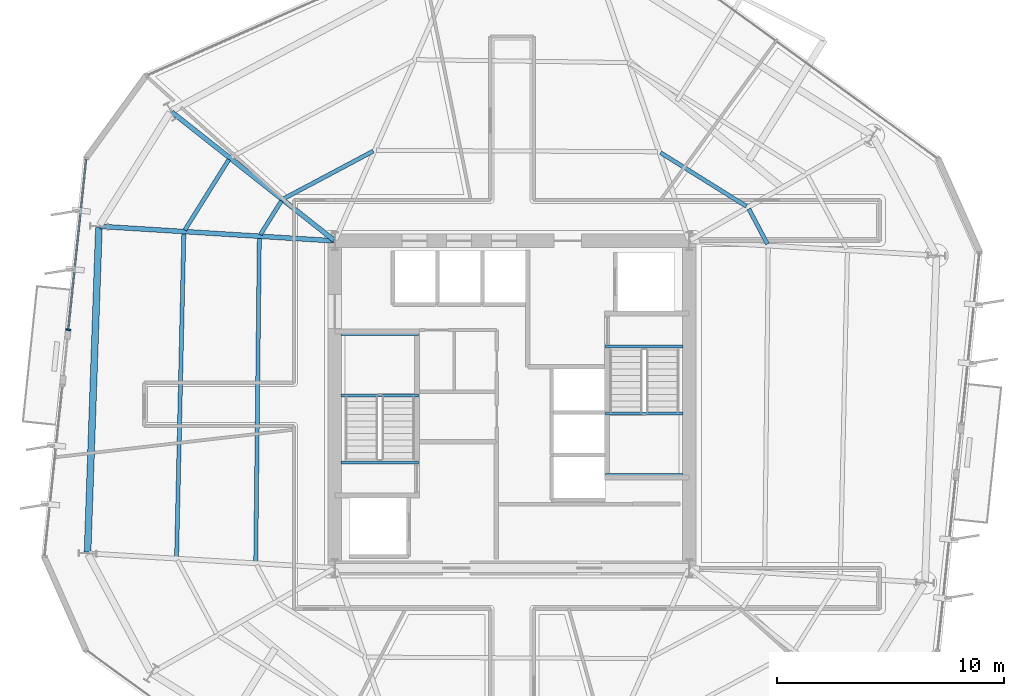
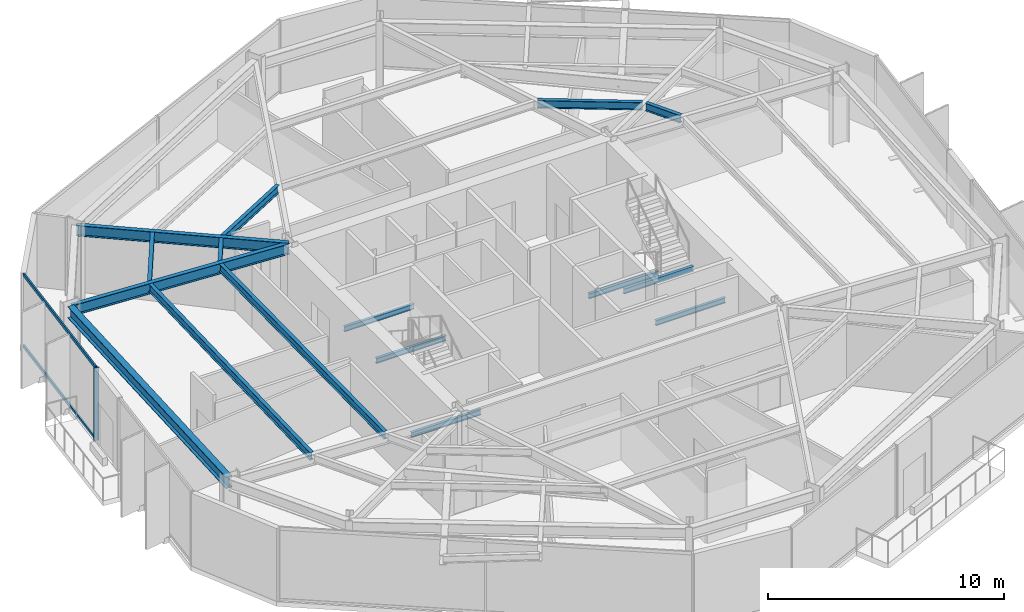
# One storey, part 3 of 13: 16 beams, 3 members, 1 element without a shape of its own.
"""IFC4 building model written with IfcOpenShell, lengths in metres."""

from ifc_helpers import new_model, si_unit, direction, frame, origin, origin_2d, place, context, subcontext, project, spatial, rectangle, i_section, extrude, material, layer, layer_set, material_profile, profile_set, type_object, element, aggregate, save


model = new_model("IFC4")

# Units and contexts
model_context = context("Model", 3, precision=1e-05, world=origin(), true_north=direction((0.0, 1.0)))
body_context = subcontext(model_context, "Body", "Model", "MODEL_VIEW")
ifc_project = project(units=[si_unit("LENGTHUNIT", "METRE"), si_unit("AREAUNIT", "SQUARE_METRE"), si_unit("VOLUMEUNIT", "CUBIC_METRE"), si_unit("PLANEANGLEUNIT", "RADIAN"), si_unit("MASSUNIT", "GRAM", prefix="KILO")], contexts=[model_context])

# Site, building, storey
site_placement = place(None, origin())
site = spatial("IfcSite", under=ifc_project, at=site_placement, CompositionType="ELEMENT")
building_placement = place(site_placement, origin())
building = spatial("IfcBuilding", under=site, at=building_placement, Name="Kranzbogen Civic Tower", CompositionType="ELEMENT")
storey_placement = place(building_placement, frame((0.0, 0.0, 118.39990234375)))
storey = spatial("IfcBuildingStorey", under=building, at=storey_placement, Name="L28", CompositionType="ELEMENT", Elevation=118.39990234375)

# Curtain wall, members
ifc_material_1 = material(Name="Pale Anodised Aluminium", Category="aluminium")
ifc_layer = layer(ifc_material_1, 0.219970703125, Name="Pale Anodised Aluminium")
ifc_layer_set = layer_set([ifc_layer], Name="Pale Anodised Aluminium")
curtain_wall_type = type_object("IfcCurtainWallType", Name="Zone 2 Stick Curtain Wall System CW-03", PredefinedType="USERDEFINED", material=ifc_layer_set)
curtain_wall_placement = place(storey_placement, origin())
curtain_wall = element("IfcCurtainWall", 1, at=curtain_wall_placement, inside=storey, type_object=curtain_wall_type, Name="L28 curtain wall CW-L28-F3-S1", ObjectType="STICK CURTAIN WALL", PredefinedType="USERDEFINED")
ifc_material_profile_1 = material_profile(ifc_material_1, rectangle(XDim=0.074951171875, YDim=0.219970703125, at=origin_2d()), Name="ALU-M 75x220")
ifc_profile_set_1 = profile_set([ifc_material_profile_1], Name="Pale Anodised Aluminium")
member_type_1 = type_object("IfcMemberType", Name="Curtain Wall Mullion ALU-M 75x220", PredefinedType="MULLION", material=ifc_profile_set_1)
member_1_placement = place(storey_placement, frame((5.464111328125, 28.290771484375, 0.0), z_axis=(0.0, 0.0, 1.0), x_axis=(-0.104534766048, -0.994521232899, 0.0)))
member_1 = element("IfcMember", 2, at=member_1_placement, type_object=member_type_1, Name="CW-03 mullion 2", PredefinedType="MULLION", context=body_context, shape_type="SweptSolid", body=[
    extrude(rectangle(XDim=0.074951171875, YDim=0.219970703125, at=origin_2d()), origin(), (0.0, 0.0, 1.0), 3.760009765625),
])
ifc_material_profile_2 = material_profile(ifc_material_1, rectangle(XDim=0.074951171875, YDim=0.1650390625, at=origin_2d()), Name="ALU-T 75x165")
ifc_profile_set_2 = profile_set([ifc_material_profile_2], Name="Pale Anodised Aluminium")
member_type_2 = type_object("IfcMemberType", Name="Curtain Wall Transom ALU-T 75x165", PredefinedType="USERDEFINED", material=ifc_profile_set_2)
member_2_placement = place(storey_placement, frame((6.252685546875, 35.793212890625, 0.030029296875), z_axis=(-0.104527485236, -0.994521998163, 0.0), x_axis=(0.994521998163, -0.104527485236, 0.0)))
member_2 = element("IfcMember", 3, at=member_2_placement, type_object=member_type_2, Name="CW-03 transom 1.1", ObjectType="TRANSOM", PredefinedType="USERDEFINED", context=body_context, shape_type="SweptSolid", body=[
    extrude(rectangle(XDim=0.074951171875, YDim=0.1650390625, at=origin_2d()), origin(), (0.0, 0.0, 1.0), 7.513916015625),
])
member_3_placement = place(storey_placement, frame((6.252685546875, 35.793212890625, 3.72998046875), z_axis=(-0.104527485236, -0.994521998163, 0.0), x_axis=(0.994521998163, -0.104527485236, 0.0)))
member_3 = element("IfcMember", 4, at=member_3_placement, type_object=member_type_2, Name="CW-03 transom 1.2", ObjectType="TRANSOM", PredefinedType="USERDEFINED", context=body_context, shape_type="SweptSolid", body=[
    extrude(rectangle(XDim=0.074951171875, YDim=0.1650390625, at=origin_2d()), origin(), (0.0, 0.0, 1.0), 7.513916015625),
])
aggregate(curtain_wall, [member_1, member_2, member_3])

# Beams
ifc_material_2 = material(Name="Steel S355", Category="steel")
ifc_material_profile_3 = material_profile(ifc_material_2, i_section(OverallWidth=0.300048828125, OverallDepth=0.60009765625, WebThickness=0.015380859375, FlangeThickness=0.030029296875, at=origin_2d()), Name="HEB 600")
ifc_profile_set_3 = profile_set([ifc_material_profile_3], Name="Steel S355")
beam_type_1 = type_object("IfcBeamType", Name="Perimeter Tube Spandrel Beam HEB 600", PredefinedType="SPANDREL", material=ifc_profile_set_3)
beam_1_placement = place(storey_placement, frame((6.81103515625, 32.783935546875, 3.460205078125), z_axis=(-0.034924229103, -0.999389963038, 0.0), x_axis=(0.999389963038, -0.034924229103, 0.0)))
element("IfcBeam", 5, at=beam_1_placement, inside=storey, type_object=beam_type_1, Name="L28 perimeter spandrel beam 12", PredefinedType="SPANDREL", context=body_context, shape_type="SweptSolid", body=[
    extrude(i_section(OverallWidth=0.300048828125, OverallDepth=0.60009765625, WebThickness=0.015380859375, FlangeThickness=0.030029296875, at=origin_2d()), origin(), (0.0, 0.0, 1.0), 14.288818359375),
])
ifc_material_profile_4 = material_profile(ifc_material_2, i_section(OverallWidth=0.2099609375, OverallDepth=0.550048828125, WebThickness=0.010986328125, FlangeThickness=0.01708984375, at=origin_2d()), Name="IPE 550")
ifc_profile_set_4 = profile_set([ifc_material_profile_4], Name="Steel S355")
beam_type_2 = type_object("IfcBeamType", Name="Radial Tower Floor Girder IPE 550", PredefinedType="BEAM", material=ifc_profile_set_4)
beam_2_placement = place(storey_placement, frame((10.02392578125, 37.87109375, 3.485107421875), z_axis=(0.78457455683, -0.620034486763, 0.0), x_axis=(0.620034486763, 0.78457455683, 0.0)))
element("IfcBeam", 6, at=beam_2_placement, inside=storey, type_object=beam_type_2, Name="L28 radial floor girder 11", PredefinedType="BEAM", context=body_context, shape_type="SweptSolid", body=[
    extrude(i_section(OverallWidth=0.2099609375, OverallDepth=0.550048828125, WebThickness=0.010986328125, FlangeThickness=0.01708984375, at=origin_2d()), origin(), (0.0, 0.0, 1.0), 9.086669921875),
])
beam_3_placement = place(storey_placement, frame((6.873046875, 32.840087890625, 3.485107421875), z_axis=(0.998086872961, -0.061827130147, 0.0), x_axis=(0.061827130147, 0.998086872961, 0.0)))
element("IfcBeam", 7, at=beam_3_placement, inside=storey, type_object=beam_type_2, Name="L28 radial floor girder 12", PredefinedType="BEAM", context=body_context, shape_type="SweptSolid", body=[
    extrude(i_section(OverallWidth=0.2099609375, OverallDepth=0.550048828125, WebThickness=0.010986328125, FlangeThickness=0.01708984375, at=origin_2d()), origin(), (0.0, 0.0, 1.0), 10.28662109375),
])
ifc_material_profile_5 = material_profile(ifc_material_2, i_section(OverallWidth=0.179931640625, OverallDepth=0.39990234375, WebThickness=0.008544921875, FlangeThickness=0.013427734375, at=origin_2d()), Name="IPE 400")
ifc_profile_set_5 = profile_set([ifc_material_profile_5], Name="Steel S355")
beam_type_3 = type_object("IfcBeamType", Name="Secondary Composite Floor Joist IPE 400", PredefinedType="JOIST", material=ifc_profile_set_5)
beam_4_placement = place(storey_placement, frame((36.2470703125, 32.06494140625, 3.56005859375), z_axis=(-0.46943723363, 0.882965845139, 0.0), x_axis=(-0.882965845139, -0.46943723363, 0.0)))
element("IfcBeam", 8, at=beam_4_placement, inside=storey, type_object=beam_type_3, Name="L28 secondary floor joist 2.07", PredefinedType="JOIST", context=body_context, shape_type="SweptSolid", body=[
    extrude(i_section(OverallWidth=0.179931640625, OverallDepth=0.39990234375, WebThickness=0.008544921875, FlangeThickness=0.013427734375, at=origin_2d()), origin(), (0.0, 0.0, 1.0), 1.7509765625),
])
beam_5_placement = place(storey_placement, frame((35.320068359375, 33.72412109375, 3.56005859375), z_axis=(-0.848093834398, 0.529846060716, 0.0), x_axis=(-0.529846060716, -0.848093834398, 0.0)))
element("IfcBeam", 9, at=beam_5_placement, inside=storey, type_object=beam_type_3, Name="L28 secondary floor joist 2.08", PredefinedType="JOIST", context=body_context, shape_type="SweptSolid", body=[
    extrude(i_section(OverallWidth=0.179931640625, OverallDepth=0.39990234375, WebThickness=0.008544921875, FlangeThickness=0.013427734375, at=origin_2d()), origin(), (0.0, 0.0, 1.0), 4.4501953125),
])
beam_6_placement = place(storey_placement, frame((18.888916015625, 36.153076171875, 3.56005859375), z_axis=(-0.882991399158, -0.469389165844, 0.0), x_axis=(0.469389165844, -0.882991399158, 0.0)))
element("IfcBeam", 10, at=beam_6_placement, inside=storey, type_object=beam_type_3, Name="L28 secondary floor joist 2.10", PredefinedType="JOIST", context=body_context, shape_type="SweptSolid", body=[
    extrude(i_section(OverallWidth=0.179931640625, OverallDepth=0.39990234375, WebThickness=0.008544921875, FlangeThickness=0.013427734375, at=origin_2d()), origin(), (0.0, 0.0, 1.0), 4.45068359375),
])
beam_7_placement = place(storey_placement, frame((12.534912109375, 35.784912109375, 3.56005859375), z_axis=(-0.529867065107, -0.848080711557, 0.0), x_axis=(0.848080711557, -0.529867065107, 0.0)))
element("IfcBeam", 11, at=beam_7_placement, inside=storey, type_object=beam_type_3, Name="L28 secondary floor joist 1.11", PredefinedType="JOIST", context=body_context, shape_type="SweptSolid", body=[
    extrude(i_section(OverallWidth=0.179931640625, OverallDepth=0.39990234375, WebThickness=0.008544921875, FlangeThickness=0.013427734375, at=origin_2d()), origin(), (0.0, 0.0, 1.0), 3.6611328125),
])
beam_8_placement = place(storey_placement, frame((14.845947265625, 33.958984375, 3.56005859375), z_axis=(-0.529572623603, -0.84826460278, 0.0), x_axis=(0.84826460278, -0.529572623603, 0.0)))
element("IfcBeam", 12, at=beam_8_placement, inside=storey, type_object=beam_type_3, Name="L28 secondary floor joist 2.11", PredefinedType="JOIST", context=body_context, shape_type="SweptSolid", body=[
    extrude(i_section(OverallWidth=0.179931640625, OverallDepth=0.39990234375, WebThickness=0.008544921875, FlangeThickness=0.013427734375, at=origin_2d()), origin(), (0.0, 0.0, 1.0), 1.75048828125),
])
beam_9_placement = place(storey_placement, frame((10.551025390625, 32.531982421875, 3.56005859375), z_axis=(-0.022402523442, -0.999749031979, 0.0), x_axis=(0.999749031979, -0.022402523442, 0.0)))
element("IfcBeam", 13, at=beam_9_placement, inside=storey, type_object=beam_type_3, Name="L28 secondary floor joist 1.12", PredefinedType="JOIST", context=body_context, shape_type="SweptSolid", body=[
    extrude(i_section(OverallWidth=0.179931640625, OverallDepth=0.39990234375, WebThickness=0.008544921875, FlangeThickness=0.013427734375, at=origin_2d()), origin(), (0.0, 0.0, 1.0), 14.24365234375),
])
beam_10_placement = place(storey_placement, frame((13.875, 32.325927734375, 3.56005859375), z_axis=(-0.011160516663, -0.999937719494, 0.0), x_axis=(0.999937719494, -0.011160516663, 0.0)))
element("IfcBeam", 14, at=beam_10_placement, inside=storey, type_object=beam_type_3, Name="L28 secondary floor joist 2.12", PredefinedType="JOIST", context=body_context, shape_type="SweptSolid", body=[
    extrude(i_section(OverallWidth=0.179931640625, OverallDepth=0.39990234375, WebThickness=0.008544921875, FlangeThickness=0.013427734375, at=origin_2d()), origin(), (0.0, 0.0, 1.0), 14.240966796875),
])
ifc_material_profile_6 = material_profile(ifc_material_2, i_section(OverallWidth=0.135009765625, OverallDepth=0.27001953125, WebThickness=0.006591796875, FlangeThickness=0.01025390625, at=origin_2d()), Name="IPE 270")
ifc_profile_set_6 = profile_set([ifc_material_profile_6], Name="Steel S355")
beam_type_4 = type_object("IfcBeamType", Name="Stair Landing Support Beam IPE 270", PredefinedType="JOIST", material=ifc_profile_set_6)
for number, where, z_axis, x_axis, name in (
    (15, (20.8798828125, 22.43994140625, -0.375), (-1.0, 0.0, 0.0), (0.0, -1.0, 0.0), "L28 ST-T1 stair floor header beam"),
    (16, (20.8798828125, 25.39990234375, 1.6650390625), (-1.0, 0.0, 0.0), (0.0, -1.0, 0.0), "L28 ST-T1 landing support beam 1.1"),
    (17, (20.8798828125, 28.10009765625, 1.6650390625), (-1.0, 0.0, 0.0), (0.0, -1.0, 0.0), "L28 ST-T1 landing support beam 1.2"),
    (18, (29.1201171875, 27.56005859375, -0.375), (1.0, 0.0, 0.0), (0.0, 1.0, 0.0), "L28 ST-T2 stair floor header beam"),
    (19, (29.1201171875, 24.60009765625, 1.6650390625), (1.0, 0.0, 0.0), (0.0, 1.0, 0.0), "L28 ST-T2 landing support beam 1.1"),
    (20, (29.1201171875, 21.89990234375, 1.6650390625), (1.0, 0.0, 0.0), (0.0, 1.0, 0.0), "L28 ST-T2 landing support beam 1.2"),
):
    element("IfcBeam", number, at=place(storey_placement, frame(where, z_axis=z_axis, x_axis=x_axis)), inside=storey, type_object=beam_type_4, Name=name, PredefinedType="JOIST", context=body_context, shape_type="SweptSolid", body=[
        extrude(i_section(OverallWidth=0.135009765625, OverallDepth=0.27001953125, WebThickness=0.006591796875, FlangeThickness=0.01025390625, at=origin_2d()), origin(), (0.0, 0.0, 1.0), 3.409912109375),
    ])

save(model, "model.ifc")
